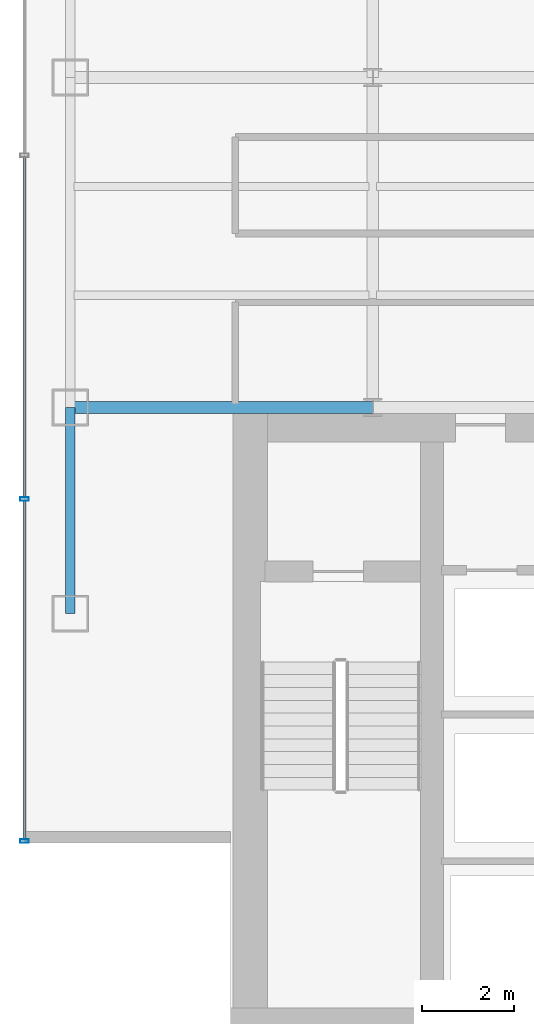
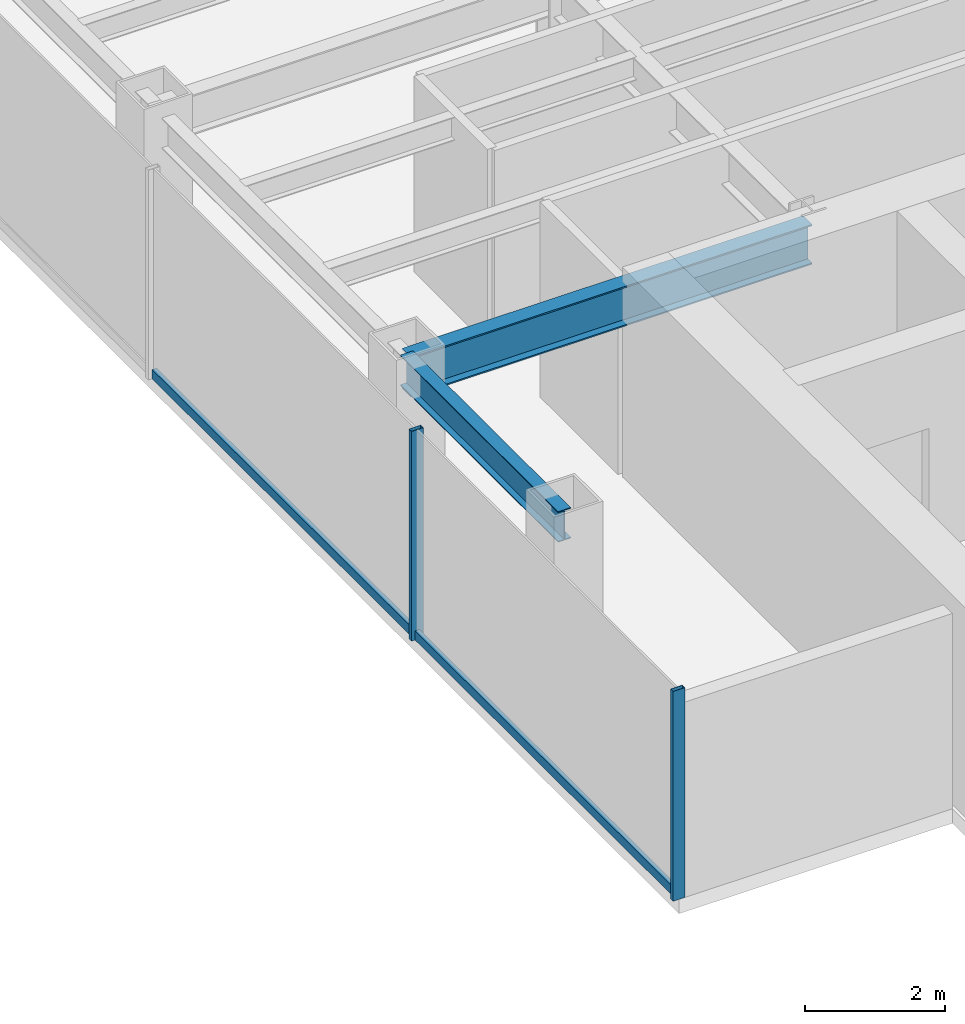
# One storey, part 2 of 26: 4 members, 2 beams, 1 element without a shape of its own.
"""IFC4 building model written with IfcOpenShell, lengths in metres."""

from ifc_helpers import new_model, si_unit, derived_unit, direction, frame, origin, origin_2d, place, context, subcontext, project, spatial, hollow_rectangle, i_section, extrude, source, transform, mapped, material, material_profile, profile_set, type_object, element, aggregate, save


model = new_model("IFC4")

# Units and contexts
model_context = context("Model", 3, precision=1e-05, world=origin(), true_north=direction((0.0, 1.0)))
body_context = subcontext(model_context, "Body", "Model", "MODEL_VIEW")
ifc_project = project(units=[si_unit("LENGTHUNIT", "METRE"), si_unit("AREAUNIT", "SQUARE_METRE"), si_unit("VOLUMEUNIT", "CUBIC_METRE"), si_unit("PLANEANGLEUNIT", "RADIAN"), si_unit("MASSUNIT", "GRAM", prefix="KILO"), derived_unit("THERMALTRANSMITTANCEUNIT", [(si_unit("POWERUNIT", "WATT"), 1), (si_unit("LENGTHUNIT", "METRE"), -2), (si_unit("THERMODYNAMICTEMPERATUREUNIT", "KELVIN"), -1)])], contexts=[model_context])

# Site, building, storey
site_placement = place(None, origin())
site = spatial("IfcSite", under=ifc_project, at=site_placement, CompositionType="ELEMENT")
building_placement = place(site_placement, origin())
building = spatial("IfcBuilding", under=site, at=building_placement, Name="Skarnbrae Concourse Arena and Tower", CompositionType="ELEMENT")
storey_placement = place(building_placement, frame((0.0, 0.0, 95.949951171875)))
storey = spatial("IfcBuildingStorey", under=building, at=storey_placement, Name="L23", CompositionType="ELEMENT", Elevation=95.949951171875)

# Beams
ifc_material_1 = material(Name="Steel CSA G40.21 350W", Category="steel")
ifc_material_profile_1 = material_profile(ifc_material_1, i_section(OverallWidth=0.256103515625, OverallDepth=0.693115234375, WebThickness=0.014404296875, FlangeThickness=0.023681640625, at=origin_2d()), Name="W690X170")
ifc_profile_set_1 = profile_set([ifc_material_profile_1], Name="Steel CSA G40.21 350W")
beam_type_1 = type_object("IfcBeamType", Name="BM-GIRD-W690X170", PredefinedType="BEAM", material=ifc_profile_set_1)
shared_shape_1 = source(origin(), body_context, "Body", "SweptSolid", [
    extrude(i_section(OverallWidth=0.256103515625, OverallDepth=0.693115234375, WebThickness=0.014404296875, FlangeThickness=0.023681640625, at=origin_2d()), origin(), (0.0, 0.0, 1.0), 6.60009765625),
])
beam_1_placement = place(storey_placement, frame((1.0, 14.0, 3.053466796875), z_axis=(1.0, 0.0, 0.0), x_axis=(0.0, 1.0, 0.0)))
element("IfcBeam", 1, at=beam_1_placement, inside=storey, type_object=beam_type_1, Name="L23 Primary E-W girder Y14.0-1", PredefinedType="BEAM", context=body_context, shape_type="MappedRepresentation", body=[
    mapped(shared_shape_1, transform((0.0, 0.0, 0.0))),
])
ifc_material_profile_2 = material_profile(ifc_material_1, i_section(OverallWidth=0.208984375, OverallDepth=0.532958984375, WebThickness=0.01025390625, FlangeThickness=0.015625, at=origin_2d()), Name="W530X92")
ifc_profile_set_2 = profile_set([ifc_material_profile_2], Name="Steel CSA G40.21 350W")
beam_type_2 = type_object("IfcBeamType", Name="BM-SPAN-W530X92", PredefinedType="SPANDREL", material=ifc_profile_set_2)
shared_shape_2 = source(origin(), body_context, "Body", "SweptSolid", [
    extrude(i_section(OverallWidth=0.208984375, OverallDepth=0.532958984375, WebThickness=0.01025390625, FlangeThickness=0.015625, at=origin_2d()), origin(), (0.0, 0.0, 1.0), 4.5),
])
beam_2_placement = place(storey_placement, frame((1.0, 9.5, 3.133544921875), z_axis=(0.0, 1.0, 0.0), x_axis=(-1.0, 0.0, 0.0)))
element("IfcBeam", 2, at=beam_2_placement, inside=storey, type_object=beam_type_2, Name="L23 Perimeter spandrel X1.0-1", PredefinedType="SPANDREL", context=body_context, shape_type="MappedRepresentation", body=[
    mapped(shared_shape_2, transform((0.0, 0.0, 0.0))),
])

# Curtain wall, members
ifc_material_2 = material(Name="Bronze anodised aluminium 6063-T6", Category="aluminium")
curtain_wall_type = type_object("IfcCurtainWallType", Name="CW-SYS-04-MIDZONE", PredefinedType="USERDEFINED", material=ifc_material_2)
curtain_wall_placement = place(storey_placement, origin())
curtain_wall = element("IfcCurtainWall", 3, at=curtain_wall_placement, inside=storey, type_object=curtain_wall_type, Name="L23 Unitised curtain wall CW-L23-E19", ObjectType="UNITISED CURTAIN WALL", PredefinedType="USERDEFINED")
ifc_material_profile_3 = material_profile(ifc_material_2, hollow_rectangle(XDim=0.074951171875, YDim=0.195068359375, WallThickness=0.00439453125, at=origin_2d()), Name="ALU-MULL-75X195")
ifc_profile_set_3 = profile_set([ifc_material_profile_3], Name="Bronze anodised aluminium 6063-T6")
member_type_1 = type_object("IfcMemberType", Name="CWM-CW-04", PredefinedType="MULLION", material=ifc_profile_set_3)
shared_shape_3 = source(origin(), body_context, "Body", "SweptSolid", [
    extrude(hollow_rectangle(XDim=0.074951171875, YDim=0.195068359375, WallThickness=0.00439453125, at=origin_2d()), origin(), (0.0, 0.0, 1.0), 3.650146484375),
])
member_1_placement = place(storey_placement, frame((0.0, 12.0, 0.0), z_axis=(0.0, 0.0, 1.0), x_axis=(0.0, -1.0, 0.0)))
member_1 = element("IfcMember", 4, at=member_1_placement, type_object=member_type_1, Name="CW-L23-E19 Mullion 4", PredefinedType="MULLION", context=body_context, shape_type="MappedRepresentation", body=[
    mapped(shared_shape_3, transform((0.0, 0.0, 0.0))),
])
member_2_placement = place(storey_placement, frame((0.0, 4.53759765625, 0.0), z_axis=(0.0, 0.0, 1.0), x_axis=(0.0, -1.0, 0.0)))
member_2 = element("IfcMember", 5, at=member_2_placement, type_object=member_type_1, Name="CW-L23-E19 Mullion 5", PredefinedType="MULLION", context=body_context, shape_type="MappedRepresentation", body=[
    mapped(shared_shape_3, transform((0.0, 0.0, 0.0))),
])
ifc_material_profile_4 = material_profile(ifc_material_2, hollow_rectangle(XDim=0.074951171875, YDim=0.159912109375, WallThickness=0.00439453125, at=origin_2d()), Name="ALU-TRAN-75X160")
ifc_profile_set_4 = profile_set([ifc_material_profile_4], Name="Bronze anodised aluminium 6063-T6")
member_type_2 = type_object("IfcMemberType", Name="CWT-CW-04", PredefinedType="USERDEFINED", material=ifc_profile_set_4)
shared_shape_4 = source(origin(), body_context, "Body", "SweptSolid", [
    extrude(hollow_rectangle(XDim=0.074951171875, YDim=0.159912109375, WallThickness=0.00439453125, at=origin_2d()), origin(), (0.0, 0.0, 1.0), 7.387451171875),
])
member_3_placement = place(storey_placement, frame((0.0, 11.96240234375, 0.080078125), z_axis=(0.0, -1.0, 0.0), x_axis=(1.0, 0.0, 0.0)))
member_3 = element("IfcMember", 6, at=member_3_placement, type_object=member_type_2, Name="CW-L23-E19 Transom 4", ObjectType="TRANSOM", PredefinedType="USERDEFINED", context=body_context, shape_type="MappedRepresentation", body=[
    mapped(shared_shape_4, transform((0.0, 0.0, 0.0))),
])
shared_shape_5 = source(origin(), body_context, "Body", "SweptSolid", [
    extrude(hollow_rectangle(XDim=0.074951171875, YDim=0.159912109375, WallThickness=0.00439453125, at=origin_2d()), origin(), (0.0, 0.0, 1.0), 7.4248046875),
])
member_4_placement = place(storey_placement, frame((0.0, 19.46240234375, 0.080078125), z_axis=(0.0, -1.0, 0.0), x_axis=(1.0, 0.0, 0.0)))
member_4 = element("IfcMember", 7, at=member_4_placement, type_object=member_type_2, Name="CW-L23-E19 Transom 3", ObjectType="TRANSOM", PredefinedType="USERDEFINED", context=body_context, shape_type="MappedRepresentation", body=[
    mapped(shared_shape_5, transform((0.0, 0.0, 0.0))),
])
aggregate(curtain_wall, [member_1, member_2, member_4, member_3])

save(model, "model.ifc")
